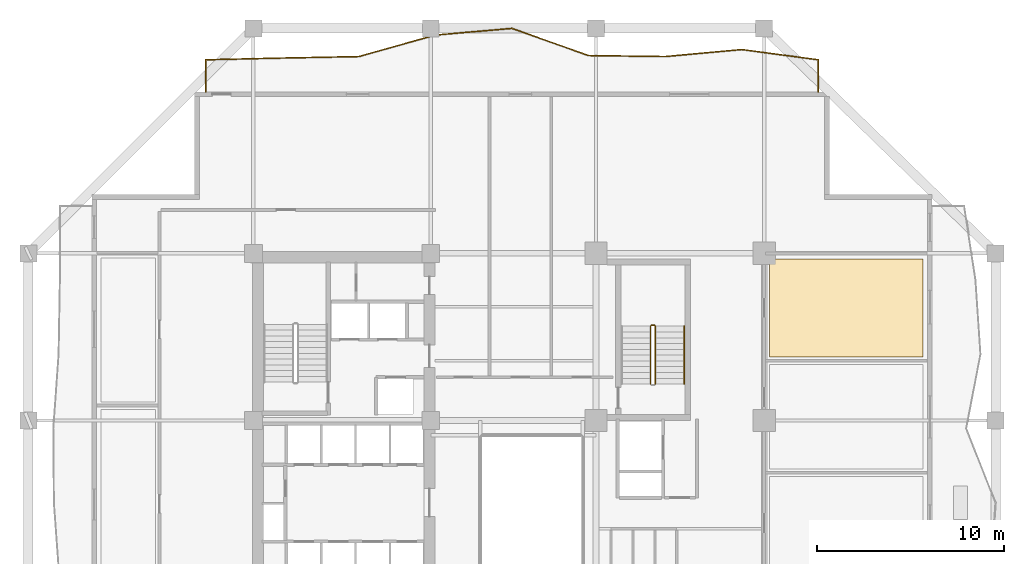
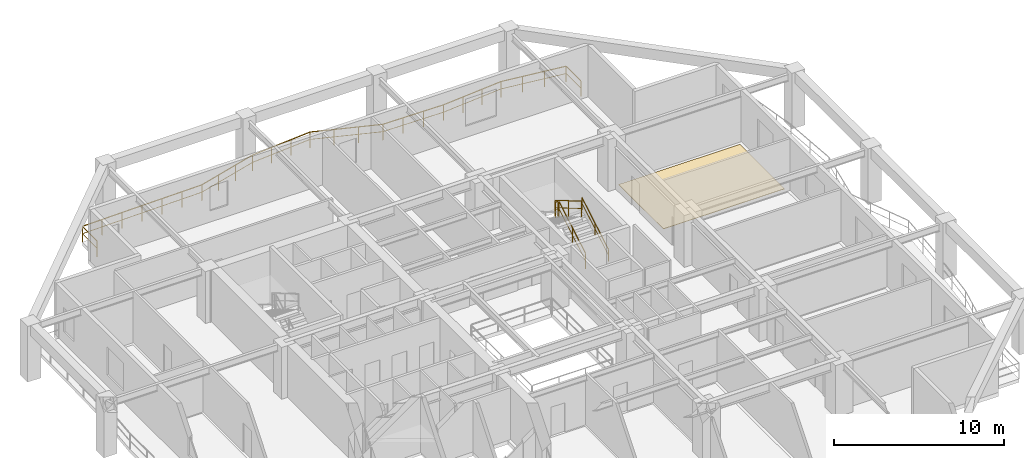
# One storey, part 12 of 13: 5 railings, 1 covering.
"""IFC4 building model written with IfcOpenShell, lengths in metres."""

from ifc_helpers import new_model, si_unit, direction, frame, origin, origin_2d, place, context, subcontext, project, spatial, polyline, rectangle, outline, extrude, material, layer, layer_set, type_object, element, save


model = new_model("IFC4")

# Units and contexts
model_context = context("Model", 3, precision=1e-05, world=origin(), true_north=direction((0.0, 1.0)))
body_context = subcontext(model_context, "Body", "Model", "MODEL_VIEW")
ifc_project = project(units=[si_unit("LENGTHUNIT", "METRE"), si_unit("AREAUNIT", "SQUARE_METRE"), si_unit("VOLUMEUNIT", "CUBIC_METRE"), si_unit("PLANEANGLEUNIT", "RADIAN"), si_unit("MASSUNIT", "GRAM", prefix="KILO")], contexts=[model_context])

# Site, building, storey
site_placement = place(None, origin())
site = spatial("IfcSite", under=ifc_project, at=site_placement, CompositionType="ELEMENT")
building_placement = place(site_placement, origin())
building = spatial("IfcBuilding", under=site, at=building_placement, Name="Kundavana Baori Tower", CompositionType="ELEMENT")
storey_placement = place(building_placement, frame((0.0, 0.0, 50.0)))
storey = spatial("IfcBuildingStorey", under=building, at=storey_placement, Name="L11", CompositionType="ELEMENT", Elevation=50.0)

# Covering
ifc_material_1 = material(Name="Honed Kota Stone and Terrazzo Flooring", Category="masonry")
ifc_layer = layer(ifc_material_1, 0.030029296875, Name="COV-INT-FLR")
ifc_layer_set = layer_set([ifc_layer], Name="Honed Kota Stone and Terrazzo Flooring")
covering_type = type_object("IfcCoveringType", Name="COV-INT-FLR", PredefinedType="FLOORING", material=ifc_layer_set)
covering_placement = place(storey_placement, origin())
element("IfcCovering", 1, at=covering_placement, inside=storey, type_object=covering_type, Name="L11 Room Finished Stone Flooring 11", PredefinedType="FLOORING", context=body_context, shape_type="SweptSolid", body=[
    extrude(outline(polyline([(43.10009765625, 36.39990234375), (51.320068359375, 36.39990234375), (51.320068359375, 41.64990234375), (43.10009765625, 41.64990234375), (43.10009765625, 36.39990234375)])), origin(), (0.0, 0.0, 1.0), 0.030029296875),
])

# Railings
ifc_material_2 = material(Name="Architectural Patinated Bronze Metalwork")
railing_type_1 = type_object("IfcRailingType", Name="RL-BAL-1150", PredefinedType="BALUSTRADE", material=ifc_material_2)
railing_1_placement = place(storey_placement, frame((12.89990234375, 50.60009765625, 0.0)))
element("IfcRailing", 2, at=railing_1_placement, inside=storey, type_object=railing_type_1, Name="L11 Loggia Balcony Balustrade N", PredefinedType="BALUSTRADE", context=body_context, shape_type="SweptSolid", body=[
    extrude(rectangle(XDim=0.048095703125, YDim=0.048095703125, at=origin_2d()), frame((0.0, 0.0, 1.1259765625), z_axis=(0.0, 1.0, 0.0), x_axis=(-1.0, 0.0, 0.0)), (0.0, 0.0, 1.0), 1.719970703125),
    extrude(rectangle(XDim=0.03125, YDim=0.03125, at=origin_2d()), frame((0.0, 0.0, 0.597900390625), z_axis=(0.0, 1.0, 0.0), x_axis=(-1.0, 0.0, 0.0)), (0.0, 0.0, 1.0), 1.719970703125),
    extrude(rectangle(XDim=0.048095703125, YDim=0.048095703125, at=origin_2d()), frame((0.0, 1.719970703125, 1.1259765625), z_axis=(0.999737329062, 0.022918832422, 0.0), x_axis=(-0.022918832422, 0.999737329062, 0.0)), (0.0, 0.0, 1.0), 4.10107421875),
    extrude(rectangle(XDim=0.03125, YDim=0.03125, at=origin_2d()), frame((0.0, 1.719970703125, 0.597900390625), z_axis=(0.999737329062, 0.022918832422, 0.0), x_axis=(-0.022918832422, 0.999737329062, 0.0)), (0.0, 0.0, 1.0), 4.10107421875),
    extrude(rectangle(XDim=0.048095703125, YDim=0.048095703125, at=origin_2d()), frame((4.10009765625, 1.81396484375, 1.1259765625), z_axis=(0.999810489297, 0.01946754972, 0.0), x_axis=(-0.01946754972, 0.999810489297, 0.0)), (0.0, 0.0, 1.0), 4.100830078125),
    extrude(rectangle(XDim=0.03125, YDim=0.03125, at=origin_2d()), frame((4.10009765625, 1.81396484375, 0.597900390625), z_axis=(0.999810489297, 0.01946754972, 0.0), x_axis=(-0.01946754972, 0.999810489297, 0.0)), (0.0, 0.0, 1.0), 4.100830078125),
    extrude(rectangle(XDim=0.048095703125, YDim=0.048095703125, at=origin_2d()), frame((8.2001953125, 1.893798828125, 1.1259765625), z_axis=(0.962770852981, 0.27031885737, 0.0), x_axis=(-0.27031885737, 0.962770852981, 0.0)), (0.0, 0.0, 1.0), 4.25830078125),
    extrude(rectangle(XDim=0.03125, YDim=0.03125, at=origin_2d()), frame((8.2001953125, 1.893798828125, 0.597900390625), z_axis=(0.962770852981, 0.27031885737, 0.0), x_axis=(-0.27031885737, 0.962770852981, 0.0)), (0.0, 0.0, 1.0), 4.25830078125),
    extrude(rectangle(XDim=0.048095703125, YDim=0.048095703125, at=origin_2d()), frame((12.300048828125, 3.044921875, 1.1259765625), z_axis=(0.996273017827, 0.08625586328, 0.0), x_axis=(-0.08625586328, 0.996273017827, 0.0)), (0.0, 0.0, 1.0), 4.115478515625),
    extrude(rectangle(XDim=0.03125, YDim=0.03125, at=origin_2d()), frame((12.300048828125, 3.044921875, 0.597900390625), z_axis=(0.996273017827, 0.08625586328, 0.0), x_axis=(-0.08625586328, 0.996273017827, 0.0)), (0.0, 0.0, 1.0), 4.115478515625),
    extrude(rectangle(XDim=0.048095703125, YDim=0.048095703125, at=origin_2d()), frame((16.400146484375, 3.39990234375, 1.1259765625), z_axis=(0.942565755745, -0.334020652202, 0.0), x_axis=(0.334020652202, 0.942565755745, 0.0)), (0.0, 0.0, 1.0), 4.349609375),
    extrude(rectangle(XDim=0.03125, YDim=0.03125, at=origin_2d()), frame((16.400146484375, 3.39990234375, 0.597900390625), z_axis=(0.942565755745, -0.334020652202, 0.0), x_axis=(0.334020652202, 0.942565755745, 0.0)), (0.0, 0.0, 1.0), 4.349609375),
    extrude(rectangle(XDim=0.048095703125, YDim=0.048095703125, at=origin_2d()), frame((20.5, 1.947021484375, 1.1259765625), z_axis=(0.999915759718, -0.012979732977, 0.0), x_axis=(0.012979732977, 0.999915759718, 0.0)), (0.0, 0.0, 1.0), 4.100341796875),
    extrude(rectangle(XDim=0.03125, YDim=0.03125, at=origin_2d()), frame((20.5, 1.947021484375, 0.597900390625), z_axis=(0.999915759718, -0.012979732977, 0.0), x_axis=(0.012979732977, 0.999915759718, 0.0)), (0.0, 0.0, 1.0), 4.100341796875),
    extrude(rectangle(XDim=0.048095703125, YDim=0.048095703125, at=origin_2d()), frame((24.60009765625, 1.893798828125, 1.1259765625), z_axis=(0.995843480493, 0.091081075744, 0.0), x_axis=(-0.091081075744, 0.995843480493, 0.0)), (0.0, 0.0, 1.0), 4.1171875),
    extrude(rectangle(XDim=0.03125, YDim=0.03125, at=origin_2d()), frame((24.60009765625, 1.893798828125, 0.597900390625), z_axis=(0.995843480493, 0.091081075744, 0.0), x_axis=(-0.091081075744, 0.995843480493, 0.0)), (0.0, 0.0, 1.0), 4.1171875),
    extrude(rectangle(XDim=0.048095703125, YDim=0.048095703125, at=origin_2d()), frame((28.7001953125, 2.268798828125, 1.1259765625), z_axis=(0.991158691367, -0.132681756577, 0.0), x_axis=(0.132681756577, 0.991158691367, 0.0)), (0.0, 0.0, 1.0), 4.136474609375),
    extrude(rectangle(XDim=0.03125, YDim=0.03125, at=origin_2d()), frame((28.7001953125, 2.268798828125, 0.597900390625), z_axis=(0.991158691367, -0.132681756577, 0.0), x_axis=(0.132681756577, 0.991158691367, 0.0)), (0.0, 0.0, 1.0), 4.136474609375),
    extrude(rectangle(XDim=0.048095703125, YDim=0.048095703125, at=origin_2d()), frame((32.800048828125, 1.719970703125, 1.1259765625), z_axis=(0.0, -1.0, 0.0), x_axis=(1.0, 0.0, 0.0)), (0.0, 0.0, 1.0), 1.719970703125),
    extrude(rectangle(XDim=0.03125, YDim=0.03125, at=origin_2d()), frame((32.800048828125, 1.719970703125, 0.597900390625), z_axis=(0.0, -1.0, 0.0), x_axis=(1.0, 0.0, 0.0)), (0.0, 0.0, 1.0), 1.719970703125),
    extrude(rectangle(XDim=0.0419921875, YDim=0.0419921875, at=origin_2d()), origin(), (0.0, 0.0, 1.0), 1.101806640625),
    extrude(rectangle(XDim=0.0419921875, YDim=0.0419921875, at=origin_2d()), frame((0.0, 1.719970703125, 0.0)), (0.0, 0.0, 1.0), 1.101806640625),
    extrude(rectangle(XDim=0.0419921875, YDim=0.0419921875, at=origin_2d()), frame((1.36669921875, 1.751220703125, 0.0)), (0.0, 0.0, 1.0), 1.101806640625),
    extrude(rectangle(XDim=0.0419921875, YDim=0.0419921875, at=origin_2d()), frame((2.7333984375, 1.78271484375, 0.0)), (0.0, 0.0, 1.0), 1.101806640625),
    extrude(rectangle(XDim=0.0419921875, YDim=0.0419921875, at=origin_2d()), frame((4.10009765625, 1.81396484375, 0.0)), (0.0, 0.0, 1.0), 1.101806640625),
    extrude(rectangle(XDim=0.0419921875, YDim=0.0419921875, at=origin_2d()), frame((5.466796875, 1.840576171875, 0.0)), (0.0, 0.0, 1.0), 1.101806640625),
    extrude(rectangle(XDim=0.0419921875, YDim=0.0419921875, at=origin_2d()), frame((6.83349609375, 1.8671875, 0.0)), (0.0, 0.0, 1.0), 1.101806640625),
    extrude(rectangle(XDim=0.0419921875, YDim=0.0419921875, at=origin_2d()), frame((8.2001953125, 1.893798828125, 0.0)), (0.0, 0.0, 1.0), 1.101806640625),
    extrude(rectangle(XDim=0.0419921875, YDim=0.0419921875, at=origin_2d()), frame((9.56689453125, 2.277587890625, 0.0)), (0.0, 0.0, 1.0), 1.101806640625),
    extrude(rectangle(XDim=0.0419921875, YDim=0.0419921875, at=origin_2d()), frame((10.933349609375, 2.6611328125, 0.0)), (0.0, 0.0, 1.0), 1.101806640625),
    extrude(rectangle(XDim=0.0419921875, YDim=0.0419921875, at=origin_2d()), frame((12.300048828125, 3.044921875, 0.0)), (0.0, 0.0, 1.0), 1.101806640625),
    extrude(rectangle(XDim=0.0419921875, YDim=0.0419921875, at=origin_2d()), frame((13.666748046875, 3.163330078125, 0.0)), (0.0, 0.0, 1.0), 1.101806640625),
    extrude(rectangle(XDim=0.0419921875, YDim=0.0419921875, at=origin_2d()), frame((15.033447265625, 3.281494140625, 0.0)), (0.0, 0.0, 1.0), 1.101806640625),
    extrude(rectangle(XDim=0.0419921875, YDim=0.0419921875, at=origin_2d()), frame((16.400146484375, 3.39990234375, 0.0)), (0.0, 0.0, 1.0), 1.101806640625),
    extrude(rectangle(XDim=0.0419921875, YDim=0.0419921875, at=origin_2d()), frame((17.766845703125, 2.91552734375, 0.0)), (0.0, 0.0, 1.0), 1.101806640625),
    extrude(rectangle(XDim=0.0419921875, YDim=0.0419921875, at=origin_2d()), frame((19.13330078125, 2.431396484375, 0.0)), (0.0, 0.0, 1.0), 1.101806640625),
    extrude(rectangle(XDim=0.0419921875, YDim=0.0419921875, at=origin_2d()), frame((20.5, 1.947021484375, 0.0)), (0.0, 0.0, 1.0), 1.101806640625),
    extrude(rectangle(XDim=0.0419921875, YDim=0.0419921875, at=origin_2d()), frame((21.86669921875, 1.92919921875, 0.0)), (0.0, 0.0, 1.0), 1.101806640625),
    extrude(rectangle(XDim=0.0419921875, YDim=0.0419921875, at=origin_2d()), frame((23.2333984375, 1.91162109375, 0.0)), (0.0, 0.0, 1.0), 1.101806640625),
    extrude(rectangle(XDim=0.0419921875, YDim=0.0419921875, at=origin_2d()), frame((24.60009765625, 1.893798828125, 0.0)), (0.0, 0.0, 1.0), 1.101806640625),
    extrude(rectangle(XDim=0.0419921875, YDim=0.0419921875, at=origin_2d()), frame((25.966796875, 2.018798828125, 0.0)), (0.0, 0.0, 1.0), 1.101806640625),
    extrude(rectangle(XDim=0.0419921875, YDim=0.0419921875, at=origin_2d()), frame((27.33349609375, 2.143798828125, 0.0)), (0.0, 0.0, 1.0), 1.101806640625),
    extrude(rectangle(XDim=0.0419921875, YDim=0.0419921875, at=origin_2d()), frame((28.7001953125, 2.268798828125, 0.0)), (0.0, 0.0, 1.0), 1.101806640625),
    extrude(rectangle(XDim=0.0419921875, YDim=0.0419921875, at=origin_2d()), frame((30.06689453125, 2.0859375, 0.0)), (0.0, 0.0, 1.0), 1.101806640625),
    extrude(rectangle(XDim=0.0419921875, YDim=0.0419921875, at=origin_2d()), frame((31.433349609375, 1.90283203125, 0.0)), (0.0, 0.0, 1.0), 1.101806640625),
    extrude(rectangle(XDim=0.0419921875, YDim=0.0419921875, at=origin_2d()), frame((32.800048828125, 1.719970703125, 0.0)), (0.0, 0.0, 1.0), 1.101806640625),
    extrude(rectangle(XDim=0.0419921875, YDim=0.0419921875, at=origin_2d()), frame((32.800048828125, 0.0, 0.0)), (0.0, 0.0, 1.0), 1.101806640625),
])
ifc_material_3 = material(Name="Architectural Patinated Bronze Metalwork")
railing_type_2 = type_object("IfcRailingType", Name="RL-GRD-1150", PredefinedType="GUARDRAIL", material=ifc_material_3)
railing_2_placement = place(storey_placement, frame((36.97998046875, 34.949951171875, 0.181884765625)))
element("IfcRailing", 3, at=railing_2_placement, inside=storey, type_object=railing_type_2, Name="L11 ST3 stair guard 1", PredefinedType="GUARDRAIL", context=body_context, shape_type="SweptSolid", body=[
    extrude(rectangle(XDim=0.048095703125, YDim=0.048095703125, at=origin_2d()), frame((0.0, 0.0, 1.1259765625), z_axis=(0.0, 0.862598821094, 0.505888598258), x_axis=(-1.0, 0.0, 0.0)), (0.0, 0.0, 1.0), 3.593994140625),
    extrude(rectangle(XDim=0.03125, YDim=0.03125, at=origin_2d()), frame((0.0, 0.0, 0.597900390625), z_axis=(0.0, 0.862598821094, 0.505888598258), x_axis=(-1.0, 0.0, 0.0)), (0.0, 0.0, 1.0), 3.593994140625),
    extrude(rectangle(XDim=0.0419921875, YDim=0.0419921875, at=origin_2d()), origin(), (0.0, 0.0, 1.0), 1.101806640625),
    extrude(rectangle(XDim=0.0419921875, YDim=0.0419921875, at=origin_2d()), frame((0.0, 1.550048828125, 0.9091796875)), (0.0, 0.0, 1.0), 1.101806640625),
    extrude(rectangle(XDim=0.0419921875, YDim=0.0419921875, at=origin_2d()), frame((0.0, 3.10009765625, 1.818115234375)), (0.0, 0.0, 1.0), 1.101806640625),
])
railing_3_placement = place(storey_placement, frame((36.929931640625, 38.10009765625, 2.0)))
element("IfcRailing", 4, at=railing_3_placement, inside=storey, type_object=railing_type_2, Name="L11 ST3 stair guard 2", PredefinedType="GUARDRAIL", context=body_context, shape_type="SweptSolid", body=[
    extrude(rectangle(XDim=0.048095703125, YDim=0.048095703125, at=origin_2d()), frame((0.0, 0.0, 1.1259765625), z_axis=(-1.0, 0.0, 0.0), x_axis=(0.0, -1.0, 0.0)), (0.0, 0.0, 1.0), 0.159912109375),
    extrude(rectangle(XDim=0.03125, YDim=0.03125, at=origin_2d()), frame((0.0, 0.0, 0.597900390625), z_axis=(-1.0, 0.0, 0.0), x_axis=(0.0, -1.0, 0.0)), (0.0, 0.0, 1.0), 0.159912109375),
    extrude(rectangle(XDim=0.0419921875, YDim=0.0419921875, at=origin_2d()), origin(), (0.0, 0.0, 1.0), 1.101806640625),
    extrude(rectangle(XDim=0.0419921875, YDim=0.0419921875, at=origin_2d()), frame((-0.159912109375, 0.0, 0.0)), (0.0, 0.0, 1.0), 1.101806640625),
])
railing_4_placement = place(storey_placement, frame((36.719970703125, 38.050048828125, 2.181884765625)))
element("IfcRailing", 5, at=railing_4_placement, inside=storey, type_object=railing_type_2, Name="L11 ST3 stair guard 3", PredefinedType="GUARDRAIL", context=body_context, shape_type="SweptSolid", body=[
    extrude(rectangle(XDim=0.048095703125, YDim=0.048095703125, at=origin_2d()), frame((0.0, 0.0, 1.1259765625), z_axis=(0.0, -0.862598821094, 0.505888598258), x_axis=(1.0, 0.0, 0.0)), (0.0, 0.0, 1.0), 3.593994140625),
    extrude(rectangle(XDim=0.03125, YDim=0.03125, at=origin_2d()), frame((0.0, 0.0, 0.597900390625), z_axis=(0.0, -0.862598821094, 0.505888598258), x_axis=(1.0, 0.0, 0.0)), (0.0, 0.0, 1.0), 3.593994140625),
    extrude(rectangle(XDim=0.0419921875, YDim=0.0419921875, at=origin_2d()), origin(), (0.0, 0.0, 1.0), 1.101806640625),
    extrude(rectangle(XDim=0.0419921875, YDim=0.0419921875, at=origin_2d()), frame((0.0, -1.550048828125, 0.9091796875)), (0.0, 0.0, 1.0), 1.101806640625),
    extrude(rectangle(XDim=0.0419921875, YDim=0.0419921875, at=origin_2d()), frame((0.0, -3.10009765625, 1.818115234375)), (0.0, 0.0, 1.0), 1.101806640625),
])
ifc_material_4 = material(Name="Architectural Patinated Bronze Metalwork")
railing_type_3 = type_object("IfcRailingType", Name="RL-HND-920", PredefinedType="HANDRAIL", material=ifc_material_4)
railing_5_placement = place(storey_placement, frame((38.530029296875, 34.949951171875, 0.181884765625)))
element("IfcRailing", 6, at=railing_5_placement, inside=storey, type_object=railing_type_3, Name="L11 ST3 stair handrail 1", PredefinedType="HANDRAIL", context=body_context, shape_type="SweptSolid", body=[
    extrude(rectangle(XDim=0.048095703125, YDim=0.048095703125, at=origin_2d()), frame((0.0, 0.0, 0.8759765625), z_axis=(0.0, 0.862598821094, 0.505888598258), x_axis=(-1.0, 0.0, 0.0)), (0.0, 0.0, 1.0), 3.593994140625),
    extrude(rectangle(XDim=0.03125, YDim=0.03125, at=origin_2d()), frame((0.0, 0.0, 0.468017578125), z_axis=(0.0, 0.862598821094, 0.505888598258), x_axis=(-1.0, 0.0, 0.0)), (0.0, 0.0, 1.0), 3.593994140625),
    extrude(rectangle(XDim=0.0419921875, YDim=0.0419921875, at=origin_2d()), origin(), (0.0, 0.0, 1.0), 0.851806640625),
    extrude(rectangle(XDim=0.0419921875, YDim=0.0419921875, at=origin_2d()), frame((0.0, 1.550048828125, 0.9091796875)), (0.0, 0.0, 1.0), 0.851806640625),
    extrude(rectangle(XDim=0.0419921875, YDim=0.0419921875, at=origin_2d()), frame((0.0, 3.10009765625, 1.818115234375)), (0.0, 0.0, 1.0), 0.851806640625),
])

save(model, "model.ifc")
